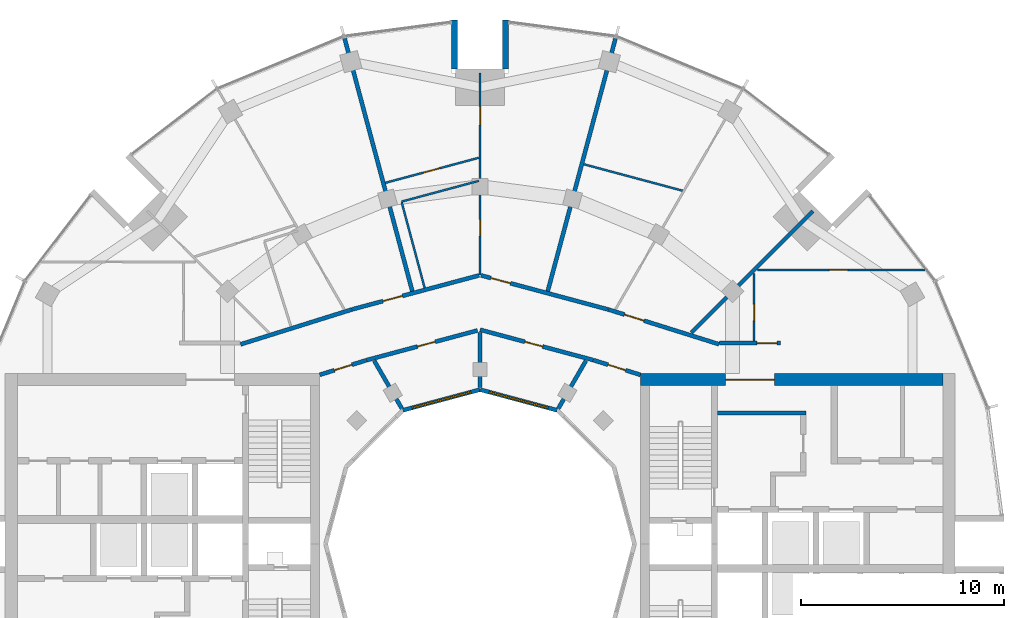
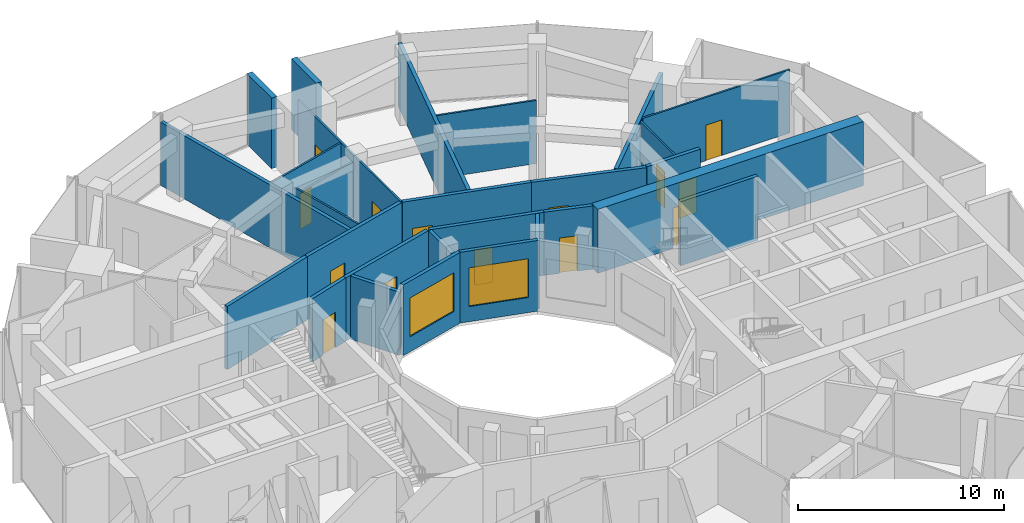
# One storey, part 12 of 15: 28 walls, 14 doors, 2 windows, 16 openings.
"""IFC4 building model written with IfcOpenShell, lengths in metres."""

from ifc_helpers import new_model, si_unit, direction, frame, frame_2d, origin, place, context, subcontext, project, spatial, rectangle, extrude, material, layer, layer_set, type_object, element, fill, save


model = new_model("IFC4")

# Units and contexts
model_context = context("Model", 3, precision=1e-05, world=origin(), true_north=direction((0.0, 1.0)))
body_context = subcontext(model_context, "Body", "Model", "MODEL_VIEW")
ifc_project = project(units=[si_unit("LENGTHUNIT", "METRE"), si_unit("AREAUNIT", "SQUARE_METRE"), si_unit("VOLUMEUNIT", "CUBIC_METRE"), si_unit("PLANEANGLEUNIT", "RADIAN"), si_unit("MASSUNIT", "GRAM", prefix="KILO")], contexts=[model_context])

# Site, building, storey
site_placement = place(None, origin())
site = spatial("IfcSite", under=ifc_project, at=site_placement, CompositionType="ELEMENT")
building_placement = place(site_placement, origin())
building = spatial("IfcBuilding", under=site, at=building_placement, Name="Torre Brocal", CompositionType="ELEMENT")
storey_placement = place(building_placement, frame((0.0, 0.0, 225.10009765625)))
storey = spatial("IfcBuildingStorey", under=building, at=storey_placement, Name="L52", CompositionType="ELEMENT", Elevation=225.10009765625)

# Wall
ifc_material_1 = material(Name="Concrete C60", Category="concrete")
ifc_layer_1 = layer(ifc_material_1, 0.199951171875)
ifc_layer_set_1 = layer_set([ifc_layer_1], Name="Concrete C60")
wall_type_1 = type_object("IfcWallType", Name="CORE WALL 200 C60 UNDER 400 SLAB", PredefinedType="SHEAR", material=ifc_layer_set_1)
wall_1_placement = place(storey_placement, frame((91.699951171875, 81.449951171875, 0.0), z_axis=(0.0, 0.0, 1.0), x_axis=(1.0, 0.0, 0.0)))
element("IfcWall", 1, at=wall_1_placement, inside=storey, type_object=wall_type_1, Name="Wall CW200-60-S400", PredefinedType="SHEAR", context=body_context, shape_type="SweptSolid", body=[
    extrude(rectangle(XDim=4.35009765625, YDim=0.199951171875, at=frame_2d((2.175048828125, 0.0))), origin(), (0.0, 0.0, 1.0), 3.7998046875),
])

# Wall, opening, door
ifc_material_2 = material(Name="Concrete C60", Category="concrete")
ifc_layer_2 = layer(ifc_material_2, 0.60009765625)
ifc_layer_set_2 = layer_set([ifc_layer_2], Name="Concrete C60")
wall_type_2 = type_object("IfcWallType", Name="CORE WALL 600 C60 UNDER 400 SLAB", PredefinedType="SHEAR", material=ifc_layer_set_2)
wall_2_placement = place(storey_placement, frame((87.89990234375, 83.10009765625, 0.0), z_axis=(0.0, 0.0, 1.0), x_axis=(1.0, 0.0, 0.0)))
wall_2 = element("IfcWall", 2, at=wall_2_placement, inside=storey, type_object=wall_type_2, Name="Wall CW600-60-S400", PredefinedType="SHEAR", context=body_context, shape_type="SweptSolid", body=[
    extrude(rectangle(XDim=14.900146484375, YDim=0.60009765625, at=frame_2d((7.4501953125, 0.0))), origin(), (0.0, 0.0, 1.0), 3.7998046875),
])
opening_1_placement = place(wall_2_placement, frame((4.199951171875, 0.0, 0.0)))
opening_1 = element("IfcOpeningElement", 3, at=opening_1_placement, cuts=wall_2, Name="Opening E-D34", PredefinedType="OPENING", context=body_context, shape_type="SweptSolid", body=[
    extrude(rectangle(XDim=2.39990234375, YDim=2.39990234375, at=frame_2d((1.199951171875, 1.199951171875))), frame((0.0, 0.31005859375, 0.0), z_axis=(0.0, -1.0, 0.0), x_axis=(1.0, 0.0, 0.0)), (0.0, 0.0, 1.0), 0.6201171875),
])
ifc_material_3 = material(Name="Steel A653", Category="steel")
door_type_1 = type_object("IfcDoorType", Name="DOUBLE FIRE DOOR FD90 2400X2400", OperationType="DOUBLE_DOOR_SINGLE_SWING", PredefinedType="DOOR", material=ifc_material_3)
door_1_placement = place(opening_1_placement, frame((2.39990234375, 0.0, 0.0), z_axis=(0.0, 0.0, 1.0), x_axis=(-1.0, 0.0, 0.0)))
door_1 = element("IfcDoor", 4, at=door_1_placement, inside=storey, type_object=door_type_1, Name="Door E-D34", OperationType="DOUBLE_DOOR_SINGLE_SWING", OverallHeight=2.39990234375, OverallWidth=2.39990234375, PredefinedType="DOOR", context=body_context, shape_type="SweptSolid", body=[
    extrude(rectangle(XDim=2.39990234375, YDim=2.39990234375, at=frame_2d((1.199951171875, 1.199951171875))), frame((0.0, 0.02490234375, 0.0), z_axis=(0.0, -1.0, 0.0), x_axis=(1.0, 0.0, 0.0)), (0.0, 0.0, 1.0), 0.050048828125),
])
fill(opening_1, door_1)

# Walls
ifc_material_4 = material(Name="Concrete C60", Category="concrete")
ifc_layer_3 = layer(ifc_material_4, 0.300048828125)
ifc_layer_set_3 = layer_set([ifc_layer_3], Name="Concrete C60")
wall_type_3 = type_object("IfcWallType", Name="NOTCH RETURN WALL 300 C60", PredefinedType="NOTDEFINED", material=ifc_layer_set_3)
for number, where, z_axis, x_axis, name in (
    (5, (81.25, 98.39990234375, 0.0), (0.0, 0.0, 1.0), (0.0, 1.0, 0.0), "NOTCH RETURN WALL"),
    (6, (78.75, 98.39990234375, 0.0), (0.0, 0.0, 1.0), (0.0, 1.0, 0.0), "NOTCH RETURN WALL"),
):
    element("IfcWall", number, at=place(storey_placement, frame(where, z_axis=z_axis, x_axis=x_axis)), inside=storey, type_object=wall_type_3, Name=name, PredefinedType="NOTDEFINED", context=body_context, shape_type="SweptSolid", body=[
        extrude(rectangle(XDim=2.415771484375, YDim=0.300048828125, at=frame_2d((1.2080078125, 0.0))), origin(), (0.0, 0.0, 1.0), 4.199951171875),
    ])

# Wall, opening, door
ifc_material_5 = material(Name="Gypsum board", Category="Gypsum")
ifc_layer_4 = layer(ifc_material_5, 0.10009765625)
ifc_layer_set_4 = layer_set([ifc_layer_4], Name="Gypsum board")
wall_type_4 = type_object("IfcWallType", Name="PARTITION 100", PredefinedType="PARTITIONING", material=ifc_layer_set_4)
wall_3_placement = place(storey_placement, frame((75.336669921875, 92.79296875, 0.0), z_axis=(0.0, 0.0, 1.0), x_axis=(0.965840336715, 0.259137886026, 0.0)))
wall_3 = element("IfcWall", 7, at=wall_3_placement, inside=storey, type_object=wall_type_4, Name="BATHROOM WALL", PredefinedType="PARTITIONING", context=body_context, shape_type="SweptSolid", body=[
    extrude(rectangle(XDim=4.76806640625, YDim=0.10009765625, at=frame_2d((2.384033203125, 0.0))), origin(), (0.0, 0.0, 1.0), 3.75),
])
opening_2_placement = place(wall_3_placement, frame((1.964111328125, 0.0, 0.0)))
opening_2 = element("IfcOpeningElement", 8, at=opening_2_placement, cuts=wall_3, Name="Opening B02-D09", PredefinedType="OPENING", context=body_context, shape_type="SweptSolid", body=[
    extrude(rectangle(XDim=0.800048828125, YDim=2.10009765625, at=frame_2d((0.39990234375, 1.050048828125))), frame((0.0, 0.06005859375, 0.0), z_axis=(0.0, -1.0, 0.0), x_axis=(1.0, 0.0, 0.0)), (0.0, 0.0, 1.0), 0.1201171875),
])
ifc_material_6 = material(Name="Timber", Category="wood")
door_type_2 = type_object("IfcDoorType", Name="BATHROOM DOOR 800X2100", OperationType="SINGLE_SWING_LEFT", PredefinedType="DOOR", material=ifc_material_6)
door_2_placement = place(opening_2_placement, frame((0.800048828125, 0.0, 0.0), z_axis=(0.0, 0.0, 1.0), x_axis=(-1.0, 0.0, 0.0)))
door_2 = element("IfcDoor", 9, at=door_2_placement, inside=storey, type_object=door_type_2, Name="B02-D09", OperationType="SINGLE_SWING_LEFT", OverallHeight=2.10009765625, OverallWidth=0.800048828125, PredefinedType="DOOR", context=body_context, shape_type="SweptSolid", body=[
    extrude(rectangle(XDim=0.800048828125, YDim=2.10009765625, at=frame_2d((0.39990234375, 1.050048828125))), frame((0.0, 0.02490234375, 0.0), z_axis=(0.0, -1.0, 0.0), x_axis=(1.0, 0.0, 0.0)), (0.0, 0.0, 1.0), 0.050048828125),
])
fill(opening_2, door_2)

# Wall
wall_4_placement = place(storey_placement, frame((76.14306640625, 91.818603515625, 0.0), z_axis=(0.0, 0.0, 1.0), x_axis=(0.259115794116, -0.965846263771, 0.0)))
element("IfcWall", 10, at=wall_4_placement, inside=storey, type_object=wall_type_4, Name="BATHROOM WALL", PredefinedType="PARTITIONING", context=body_context, shape_type="SweptSolid", body=[
    extrude(rectangle(XDim=4.34912109375, YDim=0.10009765625, at=frame_2d((2.174560546875, 0.0))), origin(), (0.0, 0.0, 1.0), 3.75),
])

# Wall, openings, doors
wall_5_placement = place(storey_placement, frame((80.0, 88.24609375, 0.0), z_axis=(0.0, 0.0, 1.0), x_axis=(0.0, 1.0, 0.0)))
wall_5 = element("IfcWall", 11, at=wall_5_placement, inside=storey, type_object=wall_type_4, Name="BATHROOM WALL", PredefinedType="PARTITIONING", context=body_context, shape_type="SweptSolid", body=[
    extrude(rectangle(XDim=9.953857421875, YDim=0.10009765625, at=frame_2d((4.97705078125, 0.0))), origin(), (0.0, 0.0, 1.0), 3.75),
])
opening_3_placement = place(wall_5_placement, frame((7.40087890625, 0.0, 0.0)))
opening_3 = element("IfcOpeningElement", 12, at=opening_3_placement, cuts=wall_5, Name="Opening B02-D08", PredefinedType="OPENING", context=body_context, shape_type="SweptSolid", body=[
    extrude(rectangle(XDim=0.89990234375, YDim=2.10009765625, at=frame_2d((0.449951171875, 1.050048828125))), frame((0.0, 0.06005859375, 0.0), z_axis=(0.0, -1.0, 0.0), x_axis=(1.0, 0.0, 0.0)), (0.0, 0.0, 1.0), 0.1201171875),
])
opening_4_placement = place(wall_5_placement, frame((1.939453125, 0.0, 0.0)))
opening_4 = element("IfcOpeningElement", 13, at=opening_4_placement, cuts=wall_5, Name="Opening B02-D10", PredefinedType="OPENING", context=body_context, shape_type="SweptSolid", body=[
    extrude(rectangle(XDim=0.800048828125, YDim=2.10009765625, at=frame_2d((0.39990234375, 1.050048828125))), frame((0.0, 0.06005859375, 0.0), z_axis=(0.0, -1.0, 0.0), x_axis=(1.0, 0.0, 0.0)), (0.0, 0.0, 1.0), 0.1201171875),
])
door_3_placement = place(opening_4_placement, origin())
door_3 = element("IfcDoor", 14, at=door_3_placement, inside=storey, type_object=door_type_2, Name="B02-D10", OperationType="SINGLE_SWING_RIGHT", OverallHeight=2.10009765625, OverallWidth=0.800048828125, PredefinedType="DOOR", context=body_context, shape_type="SweptSolid", body=[
    extrude(rectangle(XDim=0.800048828125, YDim=2.10009765625, at=frame_2d((0.39990234375, 1.050048828125))), frame((0.0, 0.02490234375, 0.0), z_axis=(0.0, -1.0, 0.0), x_axis=(1.0, 0.0, 0.0)), (0.0, 0.0, 1.0), 0.050048828125),
])
fill(opening_4, door_3)
ifc_material_7 = material(Name="Timber", Category="wood")
door_type_3 = type_object("IfcDoorType", Name="ROOM DOOR 900X2100", OperationType="SINGLE_SWING_LEFT", PredefinedType="DOOR", material=ifc_material_7)
door_4_placement = place(opening_3_placement, origin())
door_4 = element("IfcDoor", 15, at=door_4_placement, inside=storey, type_object=door_type_3, Name="B02-D08", OperationType="SINGLE_SWING_RIGHT", OverallHeight=2.10009765625, OverallWidth=0.89990234375, PredefinedType="DOOR", context=body_context, shape_type="SweptSolid", body=[
    extrude(rectangle(XDim=0.89990234375, YDim=2.10009765625, at=frame_2d((0.449951171875, 1.050048828125))), frame((0.0, 0.02490234375, 0.0), z_axis=(0.0, -1.0, 0.0), x_axis=(1.0, 0.0, 0.0)), (0.0, 0.0, 1.0), 0.050048828125),
])
fill(opening_3, door_4)

# Wall
wall_6_placement = place(storey_placement, frame((85.115478515625, 93.70703125, 0.0), z_axis=(0.0, 0.0, 1.0), x_axis=(0.965985898153, -0.258594749694, 0.0)))
element("IfcWall", 16, at=wall_6_placement, inside=storey, type_object=wall_type_4, Name="BATHROOM WALL", PredefinedType="PARTITIONING", context=body_context, shape_type="SweptSolid", body=[
    extrude(rectangle(XDim=5.036865234375, YDim=0.10009765625, at=frame_2d((2.5185546875, 0.0))), origin(), (0.0, 0.0, 1.0), 3.75),
])

# Wall, opening, door
wall_7_placement = place(storey_placement, frame((93.5, 85.0, 0.0), z_axis=(0.0, 0.0, 1.0), x_axis=(0.0, 1.0, 0.0)))
wall_7 = element("IfcWall", 17, at=wall_7_placement, inside=storey, type_object=wall_type_4, Name="BATHROOM WALL", PredefinedType="PARTITIONING", context=body_context, shape_type="SweptSolid", body=[
    extrude(rectangle(XDim=3.319091796875, YDim=0.10009765625, at=frame_2d((1.65966796875, 0.0))), origin(), (0.0, 0.0, 1.0), 3.75),
])
opening_5_placement = place(wall_7_placement, frame((0.99951171875, 0.0, 0.0)))
opening_5 = element("IfcOpeningElement", 18, at=opening_5_placement, cuts=wall_7, Name="Opening B02-D03", PredefinedType="OPENING", context=body_context, shape_type="SweptSolid", body=[
    extrude(rectangle(XDim=0.800048828125, YDim=2.10009765625, at=frame_2d((0.39990234375, 1.050048828125))), frame((0.0, 0.06005859375, 0.0), z_axis=(0.0, -1.0, 0.0), x_axis=(1.0, 0.0, 0.0)), (0.0, 0.0, 1.0), 0.1201171875),
])
door_5_placement = place(opening_5_placement, origin())
door_5 = element("IfcDoor", 19, at=door_5_placement, inside=storey, type_object=door_type_2, Name="B02-D03", OperationType="SINGLE_SWING_LEFT", OverallHeight=2.10009765625, OverallWidth=0.800048828125, PredefinedType="DOOR", context=body_context, shape_type="SweptSolid", body=[
    extrude(rectangle(XDim=0.800048828125, YDim=2.10009765625, at=frame_2d((0.39990234375, 1.050048828125))), frame((0.0, 0.02490234375, 0.0), z_axis=(0.0, -1.0, 0.0), x_axis=(1.0, 0.0, 0.0)), (0.0, 0.0, 1.0), 0.050048828125),
])
fill(opening_5, door_5)

wall_8_placement = place(storey_placement, frame((93.680908203125, 88.5, 0.0), z_axis=(0.0, 0.0, 1.0), x_axis=(1.0, 0.0, 0.0)))
wall_8 = element("IfcWall", 20, at=wall_8_placement, inside=storey, type_object=wall_type_4, Name="ROOM PARTITION", PredefinedType="PARTITIONING", context=body_context, shape_type="SweptSolid", body=[
    extrude(rectangle(XDim=8.2470703125, YDim=0.10009765625, at=frame_2d((4.12353515625, 0.0))), origin(), (0.0, 0.0, 1.0), 3.75),
])
opening_6_placement = place(wall_8_placement, frame((3.534912109375, 0.0, 0.0)))
opening_6 = element("IfcOpeningElement", 21, at=opening_6_placement, cuts=wall_8, Name="Opening B02-D01", PredefinedType="OPENING", context=body_context, shape_type="SweptSolid", body=[
    extrude(rectangle(XDim=0.89990234375, YDim=2.10009765625, at=frame_2d((0.449951171875, 1.050048828125))), frame((0.0, 0.06005859375, 0.0), z_axis=(0.0, -1.0, 0.0), x_axis=(1.0, 0.0, 0.0)), (0.0, 0.0, 1.0), 0.1201171875),
])
door_6_placement = place(opening_6_placement, origin())
door_6 = element("IfcDoor", 22, at=door_6_placement, inside=storey, type_object=door_type_3, Name="B02-D01", OperationType="SINGLE_SWING_LEFT", OverallHeight=2.10009765625, OverallWidth=0.89990234375, PredefinedType="DOOR", context=body_context, shape_type="SweptSolid", body=[
    extrude(rectangle(XDim=0.89990234375, YDim=2.10009765625, at=frame_2d((0.449951171875, 1.050048828125))), frame((0.0, 0.02490234375, 0.0), z_axis=(0.0, -1.0, 0.0), x_axis=(1.0, 0.0, 0.0)), (0.0, 0.0, 1.0), 0.050048828125),
])
fill(opening_6, door_6)

# Walls
ifc_material_8 = material(Name="Gypsum board", Category="Gypsum")
ifc_layer_5 = layer(ifc_material_8, 0.10009765625)
ifc_layer_set_5 = layer_set([ifc_layer_5], Name="Gypsum board")
wall_type_5 = type_object("IfcWallType", Name="PARTITION 100 UNDER BEAM 900", PredefinedType="PARTITIONING", material=ifc_layer_set_5)
wall_9_placement = place(storey_placement, frame((76.1298828125, 91.866943359375, 0.0), z_axis=(0.0, 0.0, 1.0), x_axis=(0.965860204905, 0.259063823373, 0.0)))
element("IfcWall", 23, at=wall_9_placement, inside=storey, type_object=wall_type_5, Name="BATHROOM WALL", PredefinedType="PARTITIONING", context=body_context, shape_type="SweptSolid", body=[
    extrude(rectangle(XDim=3.94677734375, YDim=0.10009765625, at=frame_2d((1.973388671875, 0.0))), origin(), (0.0, 0.0, 1.0), 3.2998046875),
])
ifc_material_9 = material(Name="Gypsum board", Category="Gypsum")
ifc_layer_6 = layer(ifc_material_9, 0.199951171875)
ifc_layer_set_6 = layer_set([ifc_layer_6], Name="Gypsum board")
wall_type_6 = type_object("IfcWallType", Name="PARTITION 200 EI60", PredefinedType="PARTITIONING", material=ifc_layer_set_6)
wall_10_placement = place(storey_placement, frame((68.19970703125, 84.833740234375, 0.0), z_axis=(0.0, 0.0, 1.0), x_axis=(0.954260265251, 0.298977166624, 0.0)))
element("IfcWall", 24, at=wall_10_placement, inside=storey, type_object=wall_type_6, Name="FLAT ENTRANCE WALL", PredefinedType="PARTITIONING", context=body_context, shape_type="SweptSolid", body=[
    extrude(rectangle(XDim=5.74072265625, YDim=0.199951171875, at=frame_2d((2.870361328125, 0.0))), origin(), (0.0, 0.0, 1.0), 3.75),
])

# Wall, opening, door
wall_11_placement = place(storey_placement, frame((72.10009765625, 83.33203125, 0.0), z_axis=(0.0, 0.0, 1.0), x_axis=(0.954233106619, 0.299063836383, 0.0)))
wall_11 = element("IfcWall", 25, at=wall_11_placement, inside=storey, type_object=wall_type_6, Name="CORRIDOR WALL", PredefinedType="PARTITIONING", context=body_context, shape_type="SweptSolid", body=[
    extrude(rectangle(XDim=2.4140625, YDim=0.199951171875, at=frame_2d((1.20703125, 0.0))), origin(), (0.0, 0.0, 1.0), 3.75),
])
opening_7_placement = place(wall_11_placement, frame((0.761962890625, 0.0, 0.0)))
opening_7 = element("IfcOpeningElement", 26, at=opening_7_placement, cuts=wall_11, Name="Opening B02-D21", PredefinedType="OPENING", context=body_context, shape_type="SweptSolid", body=[
    extrude(rectangle(XDim=0.89990234375, YDim=2.10009765625, at=frame_2d((0.449951171875, 1.050048828125))), frame((0.0, 0.10986328125, 0.0), z_axis=(0.0, -1.0, 0.0), x_axis=(1.0, 0.0, 0.0)), (0.0, 0.0, 1.0), 0.219970703125),
])
door_7_placement = place(opening_7_placement, frame((0.89990234375, 0.0, 0.0), z_axis=(0.0, 0.0, 1.0), x_axis=(-1.0, 0.0, 0.0)))
door_7 = element("IfcDoor", 27, at=door_7_placement, inside=storey, type_object=door_type_3, Name="B02-D21", OperationType="SINGLE_SWING_RIGHT", OverallHeight=2.10009765625, OverallWidth=0.89990234375, PredefinedType="DOOR", context=body_context, shape_type="SweptSolid", body=[
    extrude(rectangle(XDim=0.89990234375, YDim=2.10009765625, at=frame_2d((0.449951171875, 1.050048828125))), frame((0.0, 0.02490234375, 0.0), z_axis=(0.0, -1.0, 0.0), x_axis=(1.0, 0.0, 0.0)), (0.0, 0.0, 1.0), 0.050048828125),
])
fill(opening_7, door_7)

# Wall
wall_12_placement = place(storey_placement, frame((73.3232421875, 99.91943359375, 0.0), z_axis=(0.0, 0.0, 1.0), x_axis=(0.258768239436, -0.965939438194, 0.0)))
element("IfcWall", 28, at=wall_12_placement, inside=storey, type_object=wall_type_6, Name="BATHROOM WALL", PredefinedType="PARTITIONING", context=body_context, shape_type="SweptSolid", body=[
    extrude(rectangle(XDim=12.90380859375, YDim=0.199951171875, at=frame_2d((6.451904296875, 0.0))), origin(), (0.0, 0.0, 1.0), 3.75),
])

# Wall, opening, door
wall_13_placement = place(storey_placement, frame((73.68701171875, 86.55419921875, 0.0), z_axis=(0.0, 0.0, 1.0), x_axis=(0.96595258731, 0.258719150952, 0.0)))
wall_13 = element("IfcWall", 29, at=wall_13_placement, inside=storey, type_object=wall_type_6, Name="FLAT ENTRANCE WALL", PredefinedType="PARTITIONING", context=body_context, shape_type="SweptSolid", body=[
    extrude(rectangle(XDim=6.485595703125, YDim=0.199951171875, at=frame_2d((3.24267578125, 0.0))), origin(), (0.0, 0.0, 1.0), 3.75),
])
opening_8_placement = place(wall_13_placement, frame((1.57763671875, 0.0, 0.0)))
opening_8 = element("IfcOpeningElement", 30, at=opening_8_placement, cuts=wall_13, Name="Opening B02-D11", PredefinedType="OPENING", context=body_context, shape_type="SweptSolid", body=[
    extrude(rectangle(XDim=1.0, YDim=2.10009765625, at=frame_2d((0.5, 1.050048828125))), frame((0.0, 0.10986328125, 0.0), z_axis=(0.0, -1.0, 0.0), x_axis=(1.0, 0.0, 0.0)), (0.0, 0.0, 1.0), 0.219970703125),
])
ifc_material_10 = material(Name="Timber", Category="wood")
door_type_4 = type_object("IfcDoorType", Name="FLAT ENTRY DOOR FD30S 1000X2100", OperationType="SINGLE_SWING_RIGHT", PredefinedType="DOOR", material=ifc_material_10)
door_8_placement = place(opening_8_placement, origin())
door_8 = element("IfcDoor", 31, at=door_8_placement, inside=storey, type_object=door_type_4, Name="B02-D11", OperationType="SINGLE_SWING_RIGHT", OverallHeight=2.10009765625, OverallWidth=1.0, PredefinedType="DOOR", context=body_context, shape_type="SweptSolid", body=[
    extrude(rectangle(XDim=1.0, YDim=2.10009765625, at=frame_2d((0.5, 1.050048828125))), frame((0.0, 0.02490234375, 0.0), z_axis=(0.0, -1.0, 0.0), x_axis=(1.0, 0.0, 0.0)), (0.0, 0.0, 1.0), 0.050048828125),
])
fill(opening_8, door_8)

wall_14_placement = place(storey_placement, frame((74.4130859375, 84.056884765625, 0.0), z_axis=(0.0, 0.0, 1.0), x_axis=(0.965972135939, 0.258646153246, 0.0)))
wall_14 = element("IfcWall", 32, at=wall_14_placement, inside=storey, type_object=wall_type_6, Name="CORRIDOR WALL", PredefinedType="PARTITIONING", context=body_context, shape_type="SweptSolid", body=[
    extrude(rectangle(XDim=5.654052734375, YDim=0.199951171875, at=frame_2d((2.8271484375, 0.0))), origin(), (0.0, 0.0, 1.0), 3.75),
])
opening_9_placement = place(wall_14_placement, frame((2.5927734375, 0.0, 0.0)))
opening_9 = element("IfcOpeningElement", 33, at=opening_9_placement, cuts=wall_14, Name="Opening B02-D20", PredefinedType="OPENING", context=body_context, shape_type="SweptSolid", body=[
    extrude(rectangle(XDim=0.89990234375, YDim=2.10009765625, at=frame_2d((0.449951171875, 1.050048828125))), frame((0.0, 0.10986328125, 0.0), z_axis=(0.0, -1.0, 0.0), x_axis=(1.0, 0.0, 0.0)), (0.0, 0.0, 1.0), 0.219970703125),
])
door_9_placement = place(opening_9_placement, frame((0.89990234375, 0.0, 0.0), z_axis=(0.0, 0.0, 1.0), x_axis=(-1.0, 0.0, 0.0)))
door_9 = element("IfcDoor", 34, at=door_9_placement, inside=storey, type_object=door_type_3, Name="B02-D20", OperationType="SINGLE_SWING_RIGHT", OverallHeight=2.10009765625, OverallWidth=0.89990234375, PredefinedType="DOOR", context=body_context, shape_type="SweptSolid", body=[
    extrude(rectangle(XDim=0.89990234375, YDim=2.10009765625, at=frame_2d((0.449951171875, 1.050048828125))), frame((0.0, 0.02490234375, 0.0), z_axis=(0.0, -1.0, 0.0), x_axis=(1.0, 0.0, 0.0)), (0.0, 0.0, 1.0), 0.050048828125),
])
fill(opening_9, door_9)

# Walls
wall_15_placement = place(storey_placement, frame((74.787353515625, 84.027099609375, 0.0), z_axis=(0.0, 0.0, 1.0), x_axis=(0.500079107518, -0.86597972622, 0.0)))
element("IfcWall", 35, at=wall_15_placement, inside=storey, type_object=wall_type_6, Name="SERVICE ROOM WALL", PredefinedType="PARTITIONING", context=body_context, shape_type="SweptSolid", body=[
    extrude(rectangle(XDim=2.7255859375, YDim=0.199951171875, at=frame_2d((1.36279296875, 0.0))), origin(), (0.0, 0.0, 1.0), 3.75),
])
wall_16_placement = place(storey_placement, frame((80.0, 82.698974609375, 0.0), z_axis=(0.0, 0.0, 1.0), x_axis=(0.0, 1.0, 0.0)))
element("IfcWall", 36, at=wall_16_placement, inside=storey, type_object=wall_type_6, Name="SERVICE ROOM WALL", PredefinedType="PARTITIONING", context=body_context, shape_type="SweptSolid", body=[
    extrude(rectangle(XDim=2.72509765625, YDim=0.199951171875, at=frame_2d((1.362548828125, 0.0))), origin(), (0.0, 0.0, 1.0), 3.75),
])

# Wall, opening, door
wall_17_placement = place(storey_placement, frame((80.0, 85.553955078125, 0.0), z_axis=(0.0, 0.0, 1.0), x_axis=(0.965928989968, -0.258807237802, 0.0)))
wall_17 = element("IfcWall", 37, at=wall_17_placement, inside=storey, type_object=wall_type_6, Name="CORRIDOR WALL", PredefinedType="PARTITIONING", context=body_context, shape_type="SweptSolid", body=[
    extrude(rectangle(XDim=5.774169921875, YDim=0.199951171875, at=frame_2d((2.88720703125, 0.0))), origin(), (0.0, 0.0, 1.0), 3.75),
])
opening_10_placement = place(wall_17_placement, frame((2.29150390625, 0.0, 0.0)))
opening_10 = element("IfcOpeningElement", 38, at=opening_10_placement, cuts=wall_17, Name="Opening B02-D19", PredefinedType="OPENING", context=body_context, shape_type="SweptSolid", body=[
    extrude(rectangle(XDim=0.89990234375, YDim=2.10009765625, at=frame_2d((0.449951171875, 1.050048828125))), frame((0.0, 0.10986328125, 0.0), z_axis=(0.0, -1.0, 0.0), x_axis=(1.0, 0.0, 0.0)), (0.0, 0.0, 1.0), 0.219970703125),
])
door_10_placement = place(opening_10_placement, frame((0.89990234375, 0.0, 0.0), z_axis=(0.0, 0.0, 1.0), x_axis=(-1.0, 0.0, 0.0)))
door_10 = element("IfcDoor", 39, at=door_10_placement, inside=storey, type_object=door_type_3, Name="B02-D19", OperationType="SINGLE_SWING_LEFT", OverallHeight=2.10009765625, OverallWidth=0.89990234375, PredefinedType="DOOR", context=body_context, shape_type="SweptSolid", body=[
    extrude(rectangle(XDim=0.89990234375, YDim=2.10009765625, at=frame_2d((0.449951171875, 1.050048828125))), frame((0.0, 0.02490234375, 0.0), z_axis=(0.0, -1.0, 0.0), x_axis=(1.0, 0.0, 0.0)), (0.0, 0.0, 1.0), 0.050048828125),
])
fill(opening_10, door_10)

wall_18_placement = place(storey_placement, frame((80.04833984375, 88.233154296875, 0.0), z_axis=(0.0, 0.0, 1.0), x_axis=(0.965865387308, -0.259044501198, 0.0)))
wall_18 = element("IfcWall", 40, at=wall_18_placement, inside=storey, type_object=wall_type_6, Name="FLAT ENTRANCE WALL", PredefinedType="PARTITIONING", context=body_context, shape_type="SweptSolid", body=[
    extrude(rectangle(XDim=6.4755859375, YDim=0.199951171875, at=frame_2d((3.23779296875, 0.0))), origin(), (0.0, 0.0, 1.0), 3.75),
])
opening_11_placement = place(wall_18_placement, frame((0.5, 0.0, 0.0)))
opening_11 = element("IfcOpeningElement", 41, at=opening_11_placement, cuts=wall_18, Name="Opening B02-D07", PredefinedType="OPENING", context=body_context, shape_type="SweptSolid", body=[
    extrude(rectangle(XDim=1.0, YDim=2.10009765625, at=frame_2d((0.5, 1.050048828125))), frame((0.0, 0.10986328125, 0.0), z_axis=(0.0, -1.0, 0.0), x_axis=(1.0, 0.0, 0.0)), (0.0, 0.0, 1.0), 0.219970703125),
])
door_11_placement = place(opening_11_placement, origin())
door_11 = element("IfcDoor", 42, at=door_11_placement, inside=storey, type_object=door_type_4, Name="B02-D07", OperationType="SINGLE_SWING_LEFT", OverallHeight=2.10009765625, OverallWidth=1.0, PredefinedType="DOOR", context=body_context, shape_type="SweptSolid", body=[
    extrude(rectangle(XDim=1.0, YDim=2.10009765625, at=frame_2d((0.5, 1.050048828125))), frame((0.0, 0.02490234375, 0.0), z_axis=(0.0, -1.0, 0.0), x_axis=(1.0, 0.0, 0.0)), (0.0, 0.0, 1.0), 0.050048828125),
])
fill(opening_11, door_11)

# Walls
wall_19_placement = place(storey_placement, frame((83.336669921875, 87.455078125, 0.0), z_axis=(0.0, 0.0, 1.0), x_axis=(0.258878883978, 0.965909790524, 0.0)))
element("IfcWall", 43, at=wall_19_placement, inside=storey, type_object=wall_type_6, Name="BATHROOM WALL", PredefinedType="PARTITIONING", context=body_context, shape_type="SweptSolid", body=[
    extrude(rectangle(XDim=12.904052734375, YDim=0.199951171875, at=frame_2d((6.4521484375, 0.0))), origin(), (0.0, 0.0, 1.0), 3.75),
])
wall_20_placement = place(storey_placement, frame((83.851806640625, 81.665283203125, 0.0), z_axis=(0.0, 0.0, 1.0), x_axis=(0.500146274735, 0.865940935554, 0.0)))
element("IfcWall", 44, at=wall_20_placement, inside=storey, type_object=wall_type_6, Name="SERVICE ROOM WALL", PredefinedType="PARTITIONING", context=body_context, shape_type="SweptSolid", body=[
    extrude(rectangle(XDim=2.725830078125, YDim=0.199951171875, at=frame_2d((1.36279296875, 0.0))), origin(), (0.0, 0.0, 1.0), 3.75),
])

# Wall, opening, door
wall_21_placement = place(storey_placement, frame((85.5869140625, 84.056884765625, 0.0), z_axis=(0.0, 0.0, 1.0), x_axis=(0.954239513179, -0.299043393987, 0.0)))
wall_21 = element("IfcWall", 45, at=wall_21_placement, inside=storey, type_object=wall_type_6, Name="CORRIDOR WALL", PredefinedType="PARTITIONING", context=body_context, shape_type="SweptSolid", body=[
    extrude(rectangle(XDim=2.423828125, YDim=0.199951171875, at=frame_2d((1.2119140625, 0.0))), origin(), (0.0, 0.0, 1.0), 3.75),
])
opening_12_placement = place(wall_21_placement, frame((0.761962890625, 0.0, 0.0)))
opening_12 = element("IfcOpeningElement", 46, at=opening_12_placement, cuts=wall_21, Name="Opening B02-D18", PredefinedType="OPENING", context=body_context, shape_type="SweptSolid", body=[
    extrude(rectangle(XDim=0.89990234375, YDim=2.10009765625, at=frame_2d((0.449951171875, 1.050048828125))), frame((0.0, 0.10986328125, 0.0), z_axis=(0.0, -1.0, 0.0), x_axis=(1.0, 0.0, 0.0)), (0.0, 0.0, 1.0), 0.219970703125),
])
door_12_placement = place(opening_12_placement, frame((0.89990234375, 0.0, 0.0), z_axis=(0.0, 0.0, 1.0), x_axis=(-1.0, 0.0, 0.0)))
door_12 = element("IfcDoor", 47, at=door_12_placement, inside=storey, type_object=door_type_3, Name="B02-D18", OperationType="SINGLE_SWING_LEFT", OverallHeight=2.10009765625, OverallWidth=0.89990234375, PredefinedType="DOOR", context=body_context, shape_type="SweptSolid", body=[
    extrude(rectangle(XDim=0.89990234375, YDim=2.10009765625, at=frame_2d((0.449951171875, 1.050048828125))), frame((0.0, 0.02490234375, 0.0), z_axis=(0.0, -1.0, 0.0), x_axis=(1.0, 0.0, 0.0)), (0.0, 0.0, 1.0), 0.050048828125),
])
fill(opening_12, door_12)

wall_22_placement = place(storey_placement, frame((86.31298828125, 86.554443359375, 0.0), z_axis=(0.0, 0.0, 1.0), x_axis=(0.954081217458, -0.299548043717, 0.0)))
wall_22 = element("IfcWall", 48, at=wall_22_placement, inside=storey, type_object=wall_type_6, Name="FLAT ENTRANCE WALL", PredefinedType="PARTITIONING", context=body_context, shape_type="SweptSolid", body=[
    extrude(rectangle(XDim=5.720703125, YDim=0.199951171875, at=frame_2d((2.8603515625, 0.0))), origin(), (0.0, 0.0, 1.0), 3.75),
])
opening_13_placement = place(wall_22_placement, frame((0.84765625, 0.0, 0.0)))
opening_13 = element("IfcOpeningElement", 49, at=opening_13_placement, cuts=wall_22, Name="Opening B02-D04", PredefinedType="OPENING", context=body_context, shape_type="SweptSolid", body=[
    extrude(rectangle(XDim=1.0, YDim=2.10009765625, at=frame_2d((0.5, 1.050048828125))), frame((0.0, 0.10986328125, 0.0), z_axis=(0.0, -1.0, 0.0), x_axis=(1.0, 0.0, 0.0)), (0.0, 0.0, 1.0), 0.219970703125),
])
door_13_placement = place(opening_13_placement, origin())
door_13 = element("IfcDoor", 50, at=door_13_placement, inside=storey, type_object=door_type_4, Name="B02-D04", OperationType="SINGLE_SWING_LEFT", OverallHeight=2.10009765625, OverallWidth=1.0, PredefinedType="DOOR", context=body_context, shape_type="SweptSolid", body=[
    extrude(rectangle(XDim=1.0, YDim=2.10009765625, at=frame_2d((0.5, 1.050048828125))), frame((0.0, 0.02490234375, 0.0), z_axis=(0.0, -1.0, 0.0), x_axis=(1.0, 0.0, 0.0)), (0.0, 0.0, 1.0), 0.050048828125),
])
fill(opening_13, door_13)

# Wall
wall_23_placement = place(storey_placement, frame((90.416015625, 85.416259765625, 0.0), z_axis=(0.0, 0.0, 1.0), x_axis=(0.707222076599, 0.706991466971, 0.0)))
element("IfcWall", 51, at=wall_23_placement, inside=storey, type_object=wall_type_6, Name="BATHROOM WALL", PredefinedType="PARTITIONING", context=body_context, shape_type="SweptSolid", body=[
    extrude(rectangle(XDim=8.469482421875, YDim=0.199951171875, at=frame_2d((4.23486328125, 0.0))), origin(), (0.0, 0.0, 1.0), 3.75),
])

# Wall, opening, door
wall_24_placement = place(storey_placement, frame((91.800048828125, 84.89990234375, 0.0), z_axis=(0.0, 0.0, 1.0), x_axis=(1.0, 0.0, 0.0)))
wall_24 = element("IfcWall", 52, at=wall_24_placement, inside=storey, type_object=wall_type_6, Name="FLAT ENTRANCE WALL", PredefinedType="PARTITIONING", context=body_context, shape_type="SweptSolid", body=[
    extrude(rectangle(XDim=3.0, YDim=0.199951171875, at=frame_2d((1.5, 0.0))), origin(), (0.0, 0.0, 1.0), 3.75),
])
opening_14_placement = place(wall_24_placement, frame((1.840087890625, 0.0, 0.0)))
opening_14 = element("IfcOpeningElement", 53, at=opening_14_placement, cuts=wall_24, Name="Opening B02-D02", PredefinedType="OPENING", context=body_context, shape_type="SweptSolid", body=[
    extrude(rectangle(XDim=1.0, YDim=2.10009765625, at=frame_2d((0.5, 1.050048828125))), frame((0.0, 0.10986328125, 0.0), z_axis=(0.0, -1.0, 0.0), x_axis=(1.0, 0.0, 0.0)), (0.0, 0.0, 1.0), 0.219970703125),
])
door_14_placement = place(opening_14_placement, origin())
door_14 = element("IfcDoor", 54, at=door_14_placement, inside=storey, type_object=door_type_4, Name="B02-D02", OperationType="SINGLE_SWING_LEFT", OverallHeight=2.10009765625, OverallWidth=1.0, PredefinedType="DOOR", context=body_context, shape_type="SweptSolid", body=[
    extrude(rectangle(XDim=1.0, YDim=2.10009765625, at=frame_2d((0.5, 1.050048828125))), frame((0.0, 0.02490234375, 0.0), z_axis=(0.0, -1.0, 0.0), x_axis=(1.0, 0.0, 0.0)), (0.0, 0.0, 1.0), 0.050048828125),
])
fill(opening_14, door_14)

# Wall, opening, window
ifc_material_11 = material(Name="Concrete C40", Category="concrete")
ifc_layer_7 = layer(ifc_material_11, 0.199951171875)
ifc_layer_set_7 = layer_set([ifc_layer_7], Name="Concrete C40")
wall_type_7 = type_object("IfcWallType", Name="WELL FACADE WALL 200", PredefinedType="NOTDEFINED", material=ifc_layer_set_7)
wall_25_placement = place(storey_placement, frame((83.8017578125, 81.5849609375, 0.0), z_axis=(0.0, 0.0, 1.0), x_axis=(-0.965933654434, 0.258789828301, 0.0)))
wall_25 = element("IfcWall", 55, at=wall_25_placement, inside=storey, type_object=wall_type_7, Name="WELL FACADE WALL", PredefinedType="NOTDEFINED", context=body_context, shape_type="SweptSolid", body=[
    extrude(rectangle(XDim=3.935791015625, YDim=0.199951171875, at=frame_2d((1.9677734375, 0.0))), origin(), (0.0, 0.0, 1.0), 4.199951171875),
])
opening_15_placement = place(wall_25_placement, frame((0.468017578125, 0.0, 0.89990234375)))
opening_15 = element("IfcOpeningElement", 56, at=opening_15_placement, cuts=wall_25, Name="Opening W1", PredefinedType="OPENING", context=body_context, shape_type="SweptSolid", body=[
    extrude(rectangle(XDim=3.0, YDim=2.300048828125, at=frame_2d((1.5, 1.14990234375))), frame((0.0, 0.10986328125, 0.0), z_axis=(0.0, -1.0, 0.0), x_axis=(1.0, 0.0, 0.0)), (0.0, 0.0, 1.0), 0.219970703125),
])
ifc_material_12 = material(Name="Aluminium and glass", Category="aluminium")
window_type = type_object("IfcWindowType", Name="WELL WINDOW 3000X2300", PartitioningType="SINGLE_PANEL", PredefinedType="WINDOW", material=ifc_material_12)
window_1_placement = place(opening_15_placement, origin())
window_1 = element("IfcWindow", 57, at=window_1_placement, inside=storey, type_object=window_type, Name="WELL WINDOW 3000X2300", OverallHeight=2.300048828125, OverallWidth=3.0, PartitioningType="SINGLE_PANEL", PredefinedType="WINDOW", context=body_context, shape_type="SweptSolid", body=[
    extrude(rectangle(XDim=3.0, YDim=2.300048828125, at=frame_2d((1.5, 1.14990234375))), frame((0.0, 0.030029296875, 0.0), z_axis=(0.0, -1.0, 0.0), x_axis=(1.0, 0.0, 0.0)), (0.0, 0.0, 1.0), 0.06005859375),
])
fill(opening_15, window_1)

wall_26_placement = place(storey_placement, frame((80.0, 82.603515625, 0.0), z_axis=(0.0, 0.0, 1.0), x_axis=(-0.965933654434, -0.258789828301, 0.0)))
wall_26 = element("IfcWall", 58, at=wall_26_placement, inside=storey, type_object=wall_type_7, Name="WELL FACADE WALL", PredefinedType="NOTDEFINED", context=body_context, shape_type="SweptSolid", body=[
    extrude(rectangle(XDim=3.935791015625, YDim=0.199951171875, at=frame_2d((1.9677734375, 0.0))), origin(), (0.0, 0.0, 1.0), 4.199951171875),
])
opening_16_placement = place(wall_26_placement, frame((0.468017578125, 0.0, 0.89990234375)))
opening_16 = element("IfcOpeningElement", 59, at=opening_16_placement, cuts=wall_26, Name="Opening W1", PredefinedType="OPENING", context=body_context, shape_type="SweptSolid", body=[
    extrude(rectangle(XDim=3.0, YDim=2.300048828125, at=frame_2d((1.5, 1.14990234375))), frame((0.0, 0.10986328125, 0.0), z_axis=(0.0, -1.0, 0.0), x_axis=(1.0, 0.0, 0.0)), (0.0, 0.0, 1.0), 0.219970703125),
])
window_2_placement = place(opening_16_placement, origin())
window_2 = element("IfcWindow", 60, at=window_2_placement, inside=storey, type_object=window_type, Name="WELL WINDOW 3000X2300", OverallHeight=2.300048828125, OverallWidth=3.0, PartitioningType="SINGLE_PANEL", PredefinedType="WINDOW", context=body_context, shape_type="SweptSolid", body=[
    extrude(rectangle(XDim=3.0, YDim=2.300048828125, at=frame_2d((1.5, 1.14990234375))), frame((0.0, 0.030029296875, 0.0), z_axis=(0.0, -1.0, 0.0), x_axis=(1.0, 0.0, 0.0)), (0.0, 0.0, 1.0), 0.06005859375),
])
fill(opening_16, window_2)

save(model, "model.ifc")
